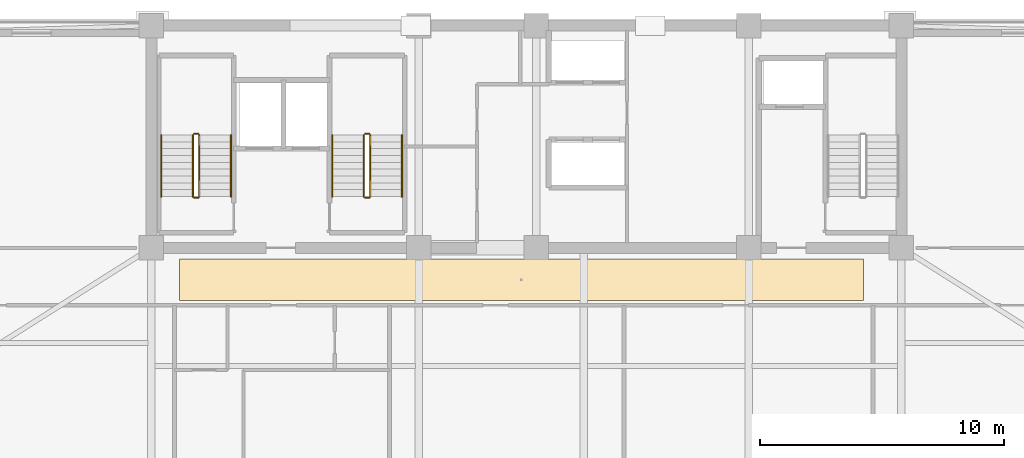
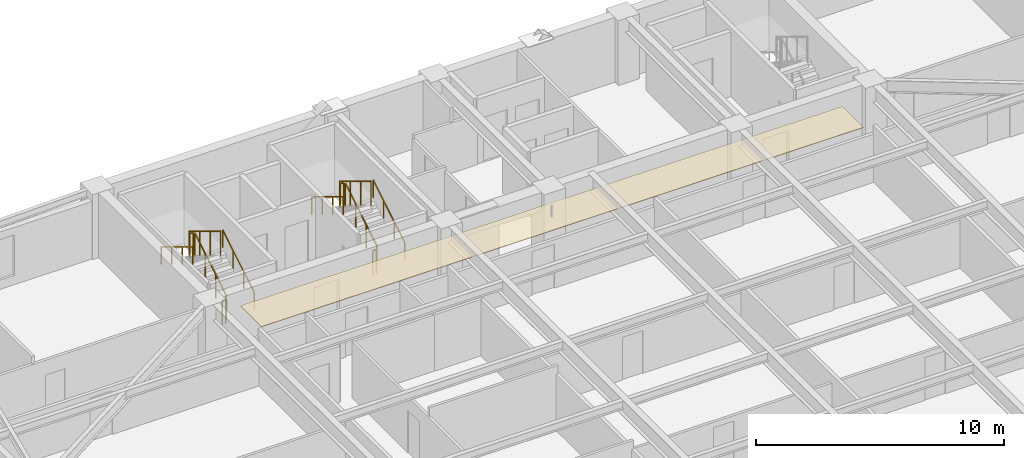
# One storey, part 14 of 16: 12 railings, 1 covering.
"""IFC4 building model written with IfcOpenShell, lengths in metres."""

from ifc_helpers import new_model, si_unit, direction, frame, origin, origin_2d, place, context, subcontext, project, spatial, polyline, rectangle, outline, extrude, material, layer, layer_set, type_object, element, save


model = new_model("IFC4")

# Units and contexts
model_context = context("Model", 3, precision=1e-05, world=origin(), true_north=direction((0.0, 1.0)))
body_context = subcontext(model_context, "Body", "Model", "MODEL_VIEW")
ifc_project = project(units=[si_unit("LENGTHUNIT", "METRE"), si_unit("AREAUNIT", "SQUARE_METRE"), si_unit("VOLUMEUNIT", "CUBIC_METRE"), si_unit("PLANEANGLEUNIT", "RADIAN"), si_unit("MASSUNIT", "GRAM", prefix="KILO")], contexts=[model_context])

# Site, building, storey
site_placement = place(None, origin())
site = spatial("IfcSite", under=ifc_project, at=site_placement, CompositionType="ELEMENT")
building_placement = place(site_placement, origin())
building = spatial("IfcBuilding", under=site, at=building_placement, Name="Giltprow Tower", CompositionType="ELEMENT")
storey_placement = place(building_placement, frame((0.0, 0.0, 230.39990234375)))
storey = spatial("IfcBuildingStorey", under=building, at=storey_placement, Name="L58", CompositionType="ELEMENT", Elevation=230.39990234375)

# Covering
ifc_material_1 = material(Name="Painted gypsum board", Category="gypsum")
ifc_layer = layer(ifc_material_1, 0.030029296875, Name="Painted gypsum board")
ifc_layer_set = layer_set([ifc_layer], Name="Painted gypsum board")
covering_type = type_object("IfcCoveringType", Name="COV-CLG-GYPSUM", PredefinedType="CEILING", material=ifc_layer_set)
covering_placement = place(storey_placement, frame((0.0, 0.0, 2.6201171875)))
element("IfcCovering", 1, at=covering_placement, inside=storey, type_object=covering_type, Name="L58 Residence Gallery Ceiling", PredefinedType="CEILING", context=body_context, shape_type="SweptSolid", body=[
    extrude(outline(polyline([(21.0, 35.300048828125), (49.0, 35.300048828125), (49.0, 37.0), (21.0, 37.0), (21.0, 35.300048828125)])), origin(), (0.0, 0.0, 1.0), 0.030029296875),
])

# Railings
ifc_material_2 = material(Name="Anodized bronze", Category="metal")
railing_type_1 = type_object("IfcRailingType", Name="RAIL-STAIR-GUARD-1200", PredefinedType="GUARDRAIL", material=ifc_material_2)
railing_1_placement = place(storey_placement, frame((21.81005859375, 39.550048828125, 0.170166015625)))
element("IfcRailing", 2, at=railing_1_placement, inside=storey, type_object=railing_type_1, Name="L58 ST-1 stair guard 1", PredefinedType="GUARDRAIL", context=body_context, shape_type="SweptSolid", body=[
    extrude(rectangle(XDim=0.048095703125, YDim=0.048095703125, at=origin_2d()), frame((0.0, 0.0, 1.17578125), z_axis=(0.0, 0.85478489116, 0.518982456201), x_axis=(-1.0, 0.0, 0.0)), (0.0, 0.0, 1.0), 2.9482421875),
    extrude(rectangle(XDim=0.0419921875, YDim=0.0419921875, at=origin_2d()), origin(), (0.0, 0.0, 1.0), 1.15185546875),
    extrude(rectangle(XDim=0.0419921875, YDim=0.0419921875, at=origin_2d()), frame((0.0, 0.840087890625, 0.510009765625)), (0.0, 0.0, 1.0), 1.15185546875),
    extrude(rectangle(XDim=0.0419921875, YDim=0.0419921875, at=origin_2d()), frame((0.0, 1.679931640625, 1.02001953125)), (0.0, 0.0, 1.0), 1.15185546875),
    extrude(rectangle(XDim=0.0419921875, YDim=0.0419921875, at=origin_2d()), frame((0.0, 2.52001953125, 1.530029296875)), (0.0, 0.0, 1.0), 1.15185546875),
])
railing_2_placement = place(storey_placement, frame((21.760009765625, 42.1201171875, 1.7001953125)))
element("IfcRailing", 3, at=railing_2_placement, inside=storey, type_object=railing_type_1, Name="L58 ST-1 stair guard 2", PredefinedType="GUARDRAIL", context=body_context, shape_type="SweptSolid", body=[
    extrude(rectangle(XDim=0.048095703125, YDim=0.048095703125, at=origin_2d()), frame((0.0, 0.0, 1.17578125), z_axis=(-1.0, 0.0, 0.0), x_axis=(0.0, -1.0, 0.0)), (0.0, 0.0, 1.0), 0.159912109375),
    extrude(rectangle(XDim=0.0419921875, YDim=0.0419921875, at=origin_2d()), origin(), (0.0, 0.0, 1.0), 1.15185546875),
    extrude(rectangle(XDim=0.0419921875, YDim=0.0419921875, at=origin_2d()), frame((-0.159912109375, 0.0, 0.0)), (0.0, 0.0, 1.0), 1.15185546875),
])
railing_3_placement = place(storey_placement, frame((21.550048828125, 42.070068359375, 1.8701171875)))
element("IfcRailing", 4, at=railing_3_placement, inside=storey, type_object=railing_type_1, Name="L58 ST-1 stair guard 3", PredefinedType="GUARDRAIL", context=body_context, shape_type="SweptSolid", body=[
    extrude(rectangle(XDim=0.048095703125, YDim=0.048095703125, at=origin_2d()), frame((0.0, 0.0, 1.17578125), z_axis=(0.0, -0.85478489116, 0.518982456201), x_axis=(1.0, 0.0, 0.0)), (0.0, 0.0, 1.0), 2.9482421875),
    extrude(rectangle(XDim=0.0419921875, YDim=0.0419921875, at=origin_2d()), origin(), (0.0, 0.0, 1.0), 1.15185546875),
    extrude(rectangle(XDim=0.0419921875, YDim=0.0419921875, at=origin_2d()), frame((0.0, -0.840087890625, 0.510009765625)), (0.0, 0.0, 1.0), 1.15185546875),
    extrude(rectangle(XDim=0.0419921875, YDim=0.0419921875, at=origin_2d()), frame((0.0, -1.679931640625, 1.02001953125)), (0.0, 0.0, 1.0), 1.15185546875),
    extrude(rectangle(XDim=0.0419921875, YDim=0.0419921875, at=origin_2d()), frame((0.0, -2.52001953125, 1.530029296875)), (0.0, 0.0, 1.0), 1.15185546875),
])
railing_4_placement = place(storey_placement, frame((21.760009765625, 39.5, 0.0)))
element("IfcRailing", 5, at=railing_4_placement, inside=storey, type_object=railing_type_1, Name="L58 ST-1 stair guard 4", PredefinedType="GUARDRAIL", context=body_context, shape_type="SweptSolid", body=[
    extrude(rectangle(XDim=0.048095703125, YDim=0.048095703125, at=origin_2d()), frame((0.0, 0.0, 1.17578125), z_axis=(-1.0, 0.0, 0.0), x_axis=(0.0, -1.0, 0.0)), (0.0, 0.0, 1.0), 0.159912109375),
    extrude(rectangle(XDim=0.0419921875, YDim=0.0419921875, at=origin_2d()), origin(), (0.0, 0.0, 1.0), 1.15185546875),
    extrude(rectangle(XDim=0.0419921875, YDim=0.0419921875, at=origin_2d()), frame((-0.159912109375, 0.0, 0.0)), (0.0, 0.0, 1.0), 1.15185546875),
])
railing_5_placement = place(storey_placement, frame((28.81005859375, 39.550048828125, 0.170166015625)))
element("IfcRailing", 6, at=railing_5_placement, inside=storey, type_object=railing_type_1, Name="L58 ST-2 stair guard 1", PredefinedType="GUARDRAIL", context=body_context, shape_type="SweptSolid", body=[
    extrude(rectangle(XDim=0.048095703125, YDim=0.048095703125, at=origin_2d()), frame((0.0, 0.0, 1.17578125), z_axis=(0.0, 0.85478489116, 0.518982456201), x_axis=(-1.0, 0.0, 0.0)), (0.0, 0.0, 1.0), 2.9482421875),
    extrude(rectangle(XDim=0.0419921875, YDim=0.0419921875, at=origin_2d()), origin(), (0.0, 0.0, 1.0), 1.15185546875),
    extrude(rectangle(XDim=0.0419921875, YDim=0.0419921875, at=origin_2d()), frame((0.0, 0.840087890625, 0.510009765625)), (0.0, 0.0, 1.0), 1.15185546875),
    extrude(rectangle(XDim=0.0419921875, YDim=0.0419921875, at=origin_2d()), frame((0.0, 1.679931640625, 1.02001953125)), (0.0, 0.0, 1.0), 1.15185546875),
    extrude(rectangle(XDim=0.0419921875, YDim=0.0419921875, at=origin_2d()), frame((0.0, 2.52001953125, 1.530029296875)), (0.0, 0.0, 1.0), 1.15185546875),
])
railing_6_placement = place(storey_placement, frame((28.760009765625, 42.1201171875, 1.7001953125)))
element("IfcRailing", 7, at=railing_6_placement, inside=storey, type_object=railing_type_1, Name="L58 ST-2 stair guard 2", PredefinedType="GUARDRAIL", context=body_context, shape_type="SweptSolid", body=[
    extrude(rectangle(XDim=0.048095703125, YDim=0.048095703125, at=origin_2d()), frame((0.0, 0.0, 1.17578125), z_axis=(-1.0, 0.0, 0.0), x_axis=(0.0, -1.0, 0.0)), (0.0, 0.0, 1.0), 0.159912109375),
    extrude(rectangle(XDim=0.0419921875, YDim=0.0419921875, at=origin_2d()), origin(), (0.0, 0.0, 1.0), 1.15185546875),
    extrude(rectangle(XDim=0.0419921875, YDim=0.0419921875, at=origin_2d()), frame((-0.159912109375, 0.0, 0.0)), (0.0, 0.0, 1.0), 1.15185546875),
])
railing_7_placement = place(storey_placement, frame((28.550048828125, 42.070068359375, 1.8701171875)))
element("IfcRailing", 8, at=railing_7_placement, inside=storey, type_object=railing_type_1, Name="L58 ST-2 stair guard 3", PredefinedType="GUARDRAIL", context=body_context, shape_type="SweptSolid", body=[
    extrude(rectangle(XDim=0.048095703125, YDim=0.048095703125, at=origin_2d()), frame((0.0, 0.0, 1.17578125), z_axis=(0.0, -0.85478489116, 0.518982456201), x_axis=(1.0, 0.0, 0.0)), (0.0, 0.0, 1.0), 2.9482421875),
    extrude(rectangle(XDim=0.0419921875, YDim=0.0419921875, at=origin_2d()), origin(), (0.0, 0.0, 1.0), 1.15185546875),
    extrude(rectangle(XDim=0.0419921875, YDim=0.0419921875, at=origin_2d()), frame((0.0, -0.840087890625, 0.510009765625)), (0.0, 0.0, 1.0), 1.15185546875),
    extrude(rectangle(XDim=0.0419921875, YDim=0.0419921875, at=origin_2d()), frame((0.0, -1.679931640625, 1.02001953125)), (0.0, 0.0, 1.0), 1.15185546875),
    extrude(rectangle(XDim=0.0419921875, YDim=0.0419921875, at=origin_2d()), frame((0.0, -2.52001953125, 1.530029296875)), (0.0, 0.0, 1.0), 1.15185546875),
])
railing_8_placement = place(storey_placement, frame((28.760009765625, 39.5, 0.0)))
element("IfcRailing", 9, at=railing_8_placement, inside=storey, type_object=railing_type_1, Name="L58 ST-2 stair guard 4", PredefinedType="GUARDRAIL", context=body_context, shape_type="SweptSolid", body=[
    extrude(rectangle(XDim=0.048095703125, YDim=0.048095703125, at=origin_2d()), frame((0.0, 0.0, 1.17578125), z_axis=(-1.0, 0.0, 0.0), x_axis=(0.0, -1.0, 0.0)), (0.0, 0.0, 1.0), 0.159912109375),
    extrude(rectangle(XDim=0.0419921875, YDim=0.0419921875, at=origin_2d()), origin(), (0.0, 0.0, 1.0), 1.15185546875),
    extrude(rectangle(XDim=0.0419921875, YDim=0.0419921875, at=origin_2d()), frame((-0.159912109375, 0.0, 0.0)), (0.0, 0.0, 1.0), 1.15185546875),
])
railing_type_2 = type_object("IfcRailingType", Name="RAIL-STAIR-HAND-900", PredefinedType="HANDRAIL", material=ifc_material_2)
railing_9_placement = place(storey_placement, frame((23.110107421875, 39.550048828125, 0.170166015625)))
element("IfcRailing", 10, at=railing_9_placement, inside=storey, type_object=railing_type_2, Name="L58 ST-1 stair handrail 1", PredefinedType="HANDRAIL", context=body_context, shape_type="SweptSolid", body=[
    extrude(rectangle(XDim=0.048095703125, YDim=0.048095703125, at=origin_2d()), frame((0.0, 0.0, 0.8759765625), z_axis=(0.0, 0.85478489116, 0.518982456201), x_axis=(-1.0, 0.0, 0.0)), (0.0, 0.0, 1.0), 2.9482421875),
    extrude(rectangle(XDim=0.0419921875, YDim=0.0419921875, at=origin_2d()), origin(), (0.0, 0.0, 1.0), 0.851806640625),
    extrude(rectangle(XDim=0.0419921875, YDim=0.0419921875, at=origin_2d()), frame((0.0, 0.840087890625, 0.510009765625)), (0.0, 0.0, 1.0), 0.851806640625),
    extrude(rectangle(XDim=0.0419921875, YDim=0.0419921875, at=origin_2d()), frame((0.0, 1.679931640625, 1.02001953125)), (0.0, 0.0, 1.0), 0.851806640625),
    extrude(rectangle(XDim=0.0419921875, YDim=0.0419921875, at=origin_2d()), frame((0.0, 2.52001953125, 1.530029296875)), (0.0, 0.0, 1.0), 0.851806640625),
])
railing_10_placement = place(storey_placement, frame((20.25, 42.070068359375, 1.8701171875)))
element("IfcRailing", 11, at=railing_10_placement, inside=storey, type_object=railing_type_2, Name="L58 ST-1 stair handrail 2", PredefinedType="HANDRAIL", context=body_context, shape_type="SweptSolid", body=[
    extrude(rectangle(XDim=0.048095703125, YDim=0.048095703125, at=origin_2d()), frame((0.0, 0.0, 0.8759765625), z_axis=(0.0, -0.85478489116, 0.518982456201), x_axis=(1.0, 0.0, 0.0)), (0.0, 0.0, 1.0), 2.9482421875),
    extrude(rectangle(XDim=0.0419921875, YDim=0.0419921875, at=origin_2d()), origin(), (0.0, 0.0, 1.0), 0.851806640625),
    extrude(rectangle(XDim=0.0419921875, YDim=0.0419921875, at=origin_2d()), frame((0.0, -0.840087890625, 0.510009765625)), (0.0, 0.0, 1.0), 0.851806640625),
    extrude(rectangle(XDim=0.0419921875, YDim=0.0419921875, at=origin_2d()), frame((0.0, -1.679931640625, 1.02001953125)), (0.0, 0.0, 1.0), 0.851806640625),
    extrude(rectangle(XDim=0.0419921875, YDim=0.0419921875, at=origin_2d()), frame((0.0, -2.52001953125, 1.530029296875)), (0.0, 0.0, 1.0), 0.851806640625),
])
railing_11_placement = place(storey_placement, frame((30.110107421875, 39.550048828125, 0.170166015625)))
element("IfcRailing", 12, at=railing_11_placement, inside=storey, type_object=railing_type_2, Name="L58 ST-2 stair handrail 1", PredefinedType="HANDRAIL", context=body_context, shape_type="SweptSolid", body=[
    extrude(rectangle(XDim=0.048095703125, YDim=0.048095703125, at=origin_2d()), frame((0.0, 0.0, 0.8759765625), z_axis=(0.0, 0.85478489116, 0.518982456201), x_axis=(-1.0, 0.0, 0.0)), (0.0, 0.0, 1.0), 2.9482421875),
    extrude(rectangle(XDim=0.0419921875, YDim=0.0419921875, at=origin_2d()), origin(), (0.0, 0.0, 1.0), 0.851806640625),
    extrude(rectangle(XDim=0.0419921875, YDim=0.0419921875, at=origin_2d()), frame((0.0, 0.840087890625, 0.510009765625)), (0.0, 0.0, 1.0), 0.851806640625),
    extrude(rectangle(XDim=0.0419921875, YDim=0.0419921875, at=origin_2d()), frame((0.0, 1.679931640625, 1.02001953125)), (0.0, 0.0, 1.0), 0.851806640625),
    extrude(rectangle(XDim=0.0419921875, YDim=0.0419921875, at=origin_2d()), frame((0.0, 2.52001953125, 1.530029296875)), (0.0, 0.0, 1.0), 0.851806640625),
])
railing_12_placement = place(storey_placement, frame((27.25, 42.070068359375, 1.8701171875)))
element("IfcRailing", 13, at=railing_12_placement, inside=storey, type_object=railing_type_2, Name="L58 ST-2 stair handrail 2", PredefinedType="HANDRAIL", context=body_context, shape_type="SweptSolid", body=[
    extrude(rectangle(XDim=0.048095703125, YDim=0.048095703125, at=origin_2d()), frame((0.0, 0.0, 0.8759765625), z_axis=(0.0, -0.85478489116, 0.518982456201), x_axis=(1.0, 0.0, 0.0)), (0.0, 0.0, 1.0), 2.9482421875),
    extrude(rectangle(XDim=0.0419921875, YDim=0.0419921875, at=origin_2d()), origin(), (0.0, 0.0, 1.0), 0.851806640625),
    extrude(rectangle(XDim=0.0419921875, YDim=0.0419921875, at=origin_2d()), frame((0.0, -0.840087890625, 0.510009765625)), (0.0, 0.0, 1.0), 0.851806640625),
    extrude(rectangle(XDim=0.0419921875, YDim=0.0419921875, at=origin_2d()), frame((0.0, -1.679931640625, 1.02001953125)), (0.0, 0.0, 1.0), 0.851806640625),
    extrude(rectangle(XDim=0.0419921875, YDim=0.0419921875, at=origin_2d()), frame((0.0, -2.52001953125, 1.530029296875)), (0.0, 0.0, 1.0), 0.851806640625),
])

save(model, "model.ifc")
